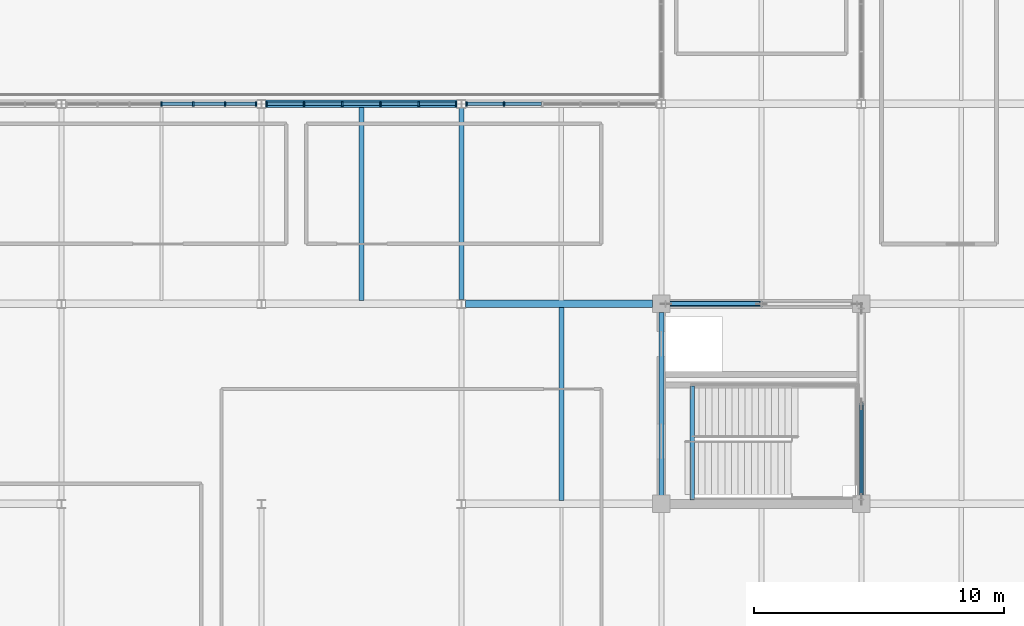
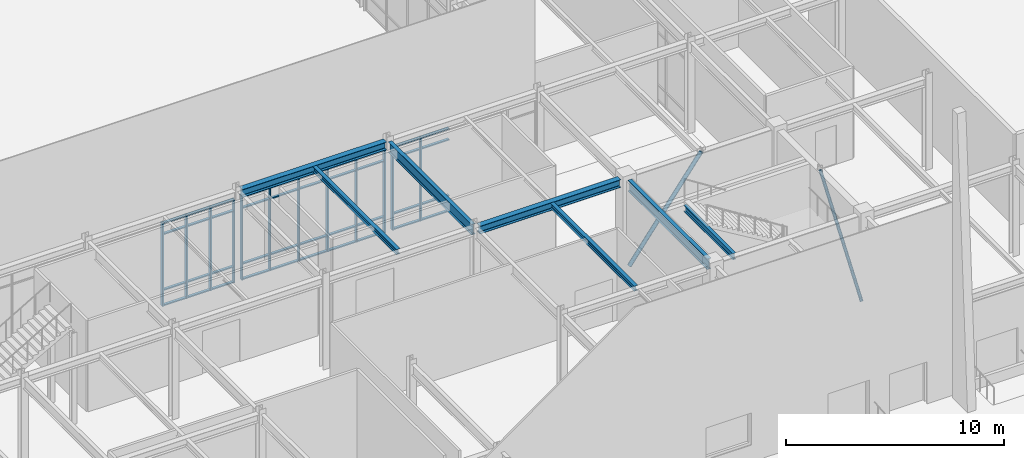
# One storey, part 33 of 119: 54 members, 7 beams, 3 elements without a shape of their own.
"""IFC4 building model written with IfcOpenShell, lengths in metres."""

from ifc_helpers import new_model, si_unit, direction, frame, origin, origin_2d, place, context, subcontext, project, spatial, rectangle, hollow_circle, i_section, extrude, material, material_profile, profile_set, type_object, element, aggregate, save


model = new_model("IFC4")

# Units and contexts
model_context = context("Model", 3, precision=1e-05, world=origin(), true_north=direction((0.0, 1.0)))
body_context = subcontext(model_context, "Body", "Model", "MODEL_VIEW")
ifc_project = project(units=[si_unit("LENGTHUNIT", "METRE"), si_unit("AREAUNIT", "SQUARE_METRE"), si_unit("VOLUMEUNIT", "CUBIC_METRE"), si_unit("PLANEANGLEUNIT", "RADIAN"), si_unit("MASSUNIT", "GRAM", prefix="KILO")], contexts=[model_context])

# Site, building, storey
site_placement = place(None, origin())
site = spatial("IfcSite", under=ifc_project, at=site_placement, CompositionType="ELEMENT")
building_placement = place(site_placement, origin())
building = spatial("IfcBuilding", under=site, at=building_placement, Name="Zhaolan Boulevard Law Courts", CompositionType="ELEMENT")
storey_placement = place(building_placement, origin())
storey = spatial("IfcBuildingStorey", under=building, at=storey_placement, Name="L00", CompositionType="ELEMENT", Elevation=0.0)

# Member
ifc_material_1 = material(Name="Structural steel Q355B", Category="steel")
ifc_material_profile_1 = material_profile(ifc_material_1, hollow_circle(Radius=0.109619140625, WallThickness=0.008056640625, at=origin_2d()), Name="CHS219x8")
ifc_profile_set_1 = profile_set([ifc_material_profile_1], Name="Structural steel Q355B")
member_type_1 = type_object("IfcMemberType", Name="BRACE CHS219", PredefinedType="BRACE", material=ifc_profile_set_1)
member_1_placement = place(storey_placement, frame((116.179931640625, 22.0, 0.030029296875), z_axis=(0.600251625626, 0.0, 0.799811218935), x_axis=(0.0, 1.0, 0.0)))
element("IfcMember", 1, at=member_1_placement, inside=storey, type_object=member_type_1, Name="Core Brace BR-P2-L00-N1", PredefinedType="BRACE", context=body_context, shape_type="SweptSolid", body=[
    extrude(hollow_circle(Radius=0.109619140625, WallThickness=0.008056640625, at=origin_2d()), origin(), (0.0, 0.0, 1.0), 6.364013671875),
])

# Curtain wall, members
ifc_material_2 = material(Name="Thermally broken aluminium and low-E glazing", Category="aluminium")
curtain_wall_type_1 = type_object("IfcCurtainWallType", Name="CURTAIN WALL M6", PredefinedType="USERDEFINED", material=ifc_material_2)
curtain_wall_1_placement = place(storey_placement, origin())
curtain_wall_1 = element("IfcCurtainWall", 2, at=curtain_wall_1_placement, inside=storey, type_object=curtain_wall_type_1, Name="Curtain Wall CW-L00-006", ObjectType="CURTAIN WALL", PredefinedType="USERDEFINED")
ifc_material_3 = material(Name="Fluorocarbon-coated aluminium 6063-T6", Category="aluminium")
ifc_material_profile_2 = material_profile(ifc_material_3, rectangle(XDim=0.179931640625, YDim=0.06494140625, at=origin_2d()), Name="AL65x180")
ifc_profile_set_2 = profile_set([ifc_material_profile_2], Name="Fluorocarbon-coated aluminium 6063-T6")
member_type_2 = type_object("IfcMemberType", Name="CWMULLION 65X180", PredefinedType="MULLION", material=ifc_profile_set_2)
member_2_placement = place(storey_placement, frame((99.79052734375, 30.0, 0.0), z_axis=(0.0, 0.0, 1.0), x_axis=(0.0, -1.0, 0.0)))
member_2 = element("IfcMember", 3, at=member_2_placement, type_object=member_type_2, Name="CW-L00-006 mullion 1", PredefinedType="MULLION", context=body_context, shape_type="SweptSolid", body=[
    extrude(rectangle(XDim=0.179931640625, YDim=0.06494140625, at=origin_2d()), origin(), (0.0, 0.0, 1.0), 4.68310546875),
])
member_3_placement = place(storey_placement, frame((98.548583984375, 30.0, 0.0), z_axis=(0.0, 0.0, 1.0), x_axis=(0.0, -1.0, 0.0)))
member_3 = element("IfcMember", 4, at=member_3_placement, type_object=member_type_2, Name="CW-L00-006 mullion 2", PredefinedType="MULLION", context=body_context, shape_type="SweptSolid", body=[
    extrude(rectangle(XDim=0.179931640625, YDim=0.06494140625, at=origin_2d()), origin(), (0.0, 0.0, 1.0), 4.68310546875),
])
member_4_placement = place(storey_placement, frame((97.2744140625, 30.0, 0.0), z_axis=(0.0, 0.0, 1.0), x_axis=(0.0, -1.0, 0.0)))
member_4 = element("IfcMember", 5, at=member_4_placement, type_object=member_type_2, Name="CW-L00-006 mullion 3", PredefinedType="MULLION", context=body_context, shape_type="SweptSolid", body=[
    extrude(rectangle(XDim=0.179931640625, YDim=0.06494140625, at=origin_2d()), origin(), (0.0, 0.0, 1.0), 4.68310546875),
])
member_5_placement = place(storey_placement, frame((96.0, 30.0, 0.0), z_axis=(0.0, 0.0, 1.0), x_axis=(0.0, -1.0, 0.0)))
member_5 = element("IfcMember", 6, at=member_5_placement, type_object=member_type_2, Name="CW-L00-006 mullion 4", PredefinedType="MULLION", context=body_context, shape_type="SweptSolid", body=[
    extrude(rectangle(XDim=0.179931640625, YDim=0.06494140625, at=origin_2d()), origin(), (0.0, 0.0, 1.0), 4.68310546875),
])

ifc_material_4 = material(Name="Thermally broken aluminium and low-E glazing", Category="aluminium")
curtain_wall_type_2 = type_object("IfcCurtainWallType", Name="CURTAIN WALL M7", PredefinedType="USERDEFINED", material=ifc_material_4)
curtain_wall_2_placement = place(storey_placement, origin())
curtain_wall_2 = element("IfcCurtainWall", 7, at=curtain_wall_2_placement, inside=storey, type_object=curtain_wall_type_2, Name="Curtain Wall CW-L00-007", ObjectType="CURTAIN WALL", PredefinedType="USERDEFINED")
member_6_placement = place(storey_placement, frame((107.79052734375, 30.0, 0.0), z_axis=(0.0, 0.0, 1.0), x_axis=(0.0, -1.0, 0.0)))
member_6 = element("IfcMember", 8, at=member_6_placement, type_object=member_type_2, Name="CW-L00-007 mullion 1", PredefinedType="MULLION", context=body_context, shape_type="SweptSolid", body=[
    extrude(rectangle(XDim=0.179931640625, YDim=0.06494140625, at=origin_2d()), origin(), (0.0, 0.0, 1.0), 4.68310546875),
])
member_7_placement = place(storey_placement, frame((106.293701171875, 30.0, 0.0), z_axis=(0.0, 0.0, 1.0), x_axis=(0.0, -1.0, 0.0)))
member_7 = element("IfcMember", 9, at=member_7_placement, type_object=member_type_2, Name="CW-L00-007 mullion 2", PredefinedType="MULLION", context=body_context, shape_type="SweptSolid", body=[
    extrude(rectangle(XDim=0.179931640625, YDim=0.06494140625, at=origin_2d()), origin(), (0.0, 0.0, 1.0), 4.68310546875),
])
member_8_placement = place(storey_placement, frame((104.7646484375, 30.0, 0.0), z_axis=(0.0, 0.0, 1.0), x_axis=(0.0, -1.0, 0.0)))
member_8 = element("IfcMember", 10, at=member_8_placement, type_object=member_type_2, Name="CW-L00-007 mullion 3", PredefinedType="MULLION", context=body_context, shape_type="SweptSolid", body=[
    extrude(rectangle(XDim=0.179931640625, YDim=0.06494140625, at=origin_2d()), origin(), (0.0, 0.0, 1.0), 4.68310546875),
])
member_9_placement = place(storey_placement, frame((103.2353515625, 30.0, 0.0), z_axis=(0.0, 0.0, 1.0), x_axis=(0.0, -1.0, 0.0)))
member_9 = element("IfcMember", 11, at=member_9_placement, type_object=member_type_2, Name="CW-L00-007 mullion 4", PredefinedType="MULLION", context=body_context, shape_type="SweptSolid", body=[
    extrude(rectangle(XDim=0.179931640625, YDim=0.06494140625, at=origin_2d()), origin(), (0.0, 0.0, 1.0), 4.68310546875),
])
member_10_placement = place(storey_placement, frame((101.706298828125, 30.0, 0.0), z_axis=(0.0, 0.0, 1.0), x_axis=(0.0, -1.0, 0.0)))
member_10 = element("IfcMember", 12, at=member_10_placement, type_object=member_type_2, Name="CW-L00-007 mullion 5", PredefinedType="MULLION", context=body_context, shape_type="SweptSolid", body=[
    extrude(rectangle(XDim=0.179931640625, YDim=0.06494140625, at=origin_2d()), origin(), (0.0, 0.0, 1.0), 4.68310546875),
])
member_11_placement = place(storey_placement, frame((100.20947265625, 30.0, 0.0), z_axis=(0.0, 0.0, 1.0), x_axis=(0.0, -1.0, 0.0)))
member_11 = element("IfcMember", 13, at=member_11_placement, type_object=member_type_2, Name="CW-L00-007 mullion 6", PredefinedType="MULLION", context=body_context, shape_type="SweptSolid", body=[
    extrude(rectangle(XDim=0.179931640625, YDim=0.06494140625, at=origin_2d()), origin(), (0.0, 0.0, 1.0), 4.68310546875),
])

ifc_material_5 = material(Name="Thermally broken aluminium and low-E glazing", Category="aluminium")
curtain_wall_type_3 = type_object("IfcCurtainWallType", Name="CURTAIN WALL M8", PredefinedType="USERDEFINED", material=ifc_material_5)
curtain_wall_3_placement = place(storey_placement, origin())
curtain_wall_3 = element("IfcCurtainWall", 14, at=curtain_wall_3_placement, inside=storey, type_object=curtain_wall_type_3, Name="Curtain Wall CW-L00-008", ObjectType="CURTAIN WALL", PredefinedType="USERDEFINED")
member_12_placement = place(storey_placement, frame((109.706298828125, 30.0, 0.0), z_axis=(0.0, 0.0, 1.0), x_axis=(0.0, -1.0, 0.0)))
member_12 = element("IfcMember", 15, at=member_12_placement, type_object=member_type_2, Name="CW-L00-008 mullion 5", PredefinedType="MULLION", context=body_context, shape_type="SweptSolid", body=[
    extrude(rectangle(XDim=0.179931640625, YDim=0.06494140625, at=origin_2d()), origin(), (0.0, 0.0, 1.0), 4.68310546875),
])
member_13_placement = place(storey_placement, frame((108.20947265625, 30.0, 0.0), z_axis=(0.0, 0.0, 1.0), x_axis=(0.0, -1.0, 0.0)))
member_13 = element("IfcMember", 16, at=member_13_placement, type_object=member_type_2, Name="CW-L00-008 mullion 6", PredefinedType="MULLION", context=body_context, shape_type="SweptSolid", body=[
    extrude(rectangle(XDim=0.179931640625, YDim=0.06494140625, at=origin_2d()), origin(), (0.0, 0.0, 1.0), 4.68310546875),
])

# Member
ifc_material_6 = material(Name="Fluorocarbon-coated aluminium 6063-T6", Category="aluminium")
ifc_material_profile_3 = material_profile(ifc_material_6, rectangle(XDim=0.139892578125, YDim=0.06494140625, at=origin_2d()), Name="AL65x140")
ifc_profile_set_3 = profile_set([ifc_material_profile_3], Name="Fluorocarbon-coated aluminium 6063-T6")
member_type_3 = type_object("IfcMemberType", Name="CWTRANSOM 65X140", PredefinedType="USERDEFINED", material=ifc_profile_set_3)
member_14_placement = place(storey_placement, frame((99.758056640625, 30.0, 0.032470703125), z_axis=(-1.0, 0.0, 0.0), x_axis=(0.0, -1.0, 0.0)))
member_14 = element("IfcMember", 17, at=member_14_placement, type_object=member_type_3, Name="CW-L00-006 transom 1.1", ObjectType="TRANSOM", PredefinedType="USERDEFINED", context=body_context, shape_type="SweptSolid", body=[
    extrude(rectangle(XDim=0.139892578125, YDim=0.06494140625, at=origin_2d()), origin(), (0.0, 0.0, 1.0), 1.177001953125),
])

member_15_placement = place(storey_placement, frame((99.758056640625, 30.0, 0.89990234375), z_axis=(-1.0, 0.0, 0.0), x_axis=(0.0, -1.0, 0.0)))
member_15 = element("IfcMember", 18, at=member_15_placement, type_object=member_type_3, Name="CW-L00-006 transom 1.2", ObjectType="TRANSOM", PredefinedType="USERDEFINED", context=body_context, shape_type="SweptSolid", body=[
    extrude(rectangle(XDim=0.139892578125, YDim=0.06494140625, at=origin_2d()), origin(), (0.0, 0.0, 1.0), 1.177001953125),
])

member_16_placement = place(storey_placement, frame((99.758056640625, 30.0, 4.032958984375), z_axis=(-1.0, 0.0, 0.0), x_axis=(0.0, -1.0, 0.0)))
member_16 = element("IfcMember", 19, at=member_16_placement, type_object=member_type_3, Name="CW-L00-006 transom 1.3", ObjectType="TRANSOM", PredefinedType="USERDEFINED", context=body_context, shape_type="SweptSolid", body=[
    extrude(rectangle(XDim=0.139892578125, YDim=0.06494140625, at=origin_2d()), origin(), (0.0, 0.0, 1.0), 1.177001953125),
])

member_17_placement = place(storey_placement, frame((99.758056640625, 30.0, 4.650390625), z_axis=(-1.0, 0.0, 0.0), x_axis=(0.0, -1.0, 0.0)))
member_17 = element("IfcMember", 20, at=member_17_placement, type_object=member_type_3, Name="CW-L00-006 transom 1.4", ObjectType="TRANSOM", PredefinedType="USERDEFINED", context=body_context, shape_type="SweptSolid", body=[
    extrude(rectangle(XDim=0.139892578125, YDim=0.06494140625, at=origin_2d()), origin(), (0.0, 0.0, 1.0), 1.177001953125),
])

member_18_placement = place(storey_placement, frame((98.51611328125, 30.0, 0.032470703125), z_axis=(-1.0, 0.0, 0.0), x_axis=(0.0, -1.0, 0.0)))
member_18 = element("IfcMember", 21, at=member_18_placement, type_object=member_type_3, Name="CW-L00-006 transom 2.1", ObjectType="TRANSOM", PredefinedType="USERDEFINED", context=body_context, shape_type="SweptSolid", body=[
    extrude(rectangle(XDim=0.139892578125, YDim=0.06494140625, at=origin_2d()), origin(), (0.0, 0.0, 1.0), 1.209228515625),
])

member_19_placement = place(storey_placement, frame((98.51611328125, 30.0, 0.89990234375), z_axis=(-1.0, 0.0, 0.0), x_axis=(0.0, -1.0, 0.0)))
member_19 = element("IfcMember", 22, at=member_19_placement, type_object=member_type_3, Name="CW-L00-006 transom 2.2", ObjectType="TRANSOM", PredefinedType="USERDEFINED", context=body_context, shape_type="SweptSolid", body=[
    extrude(rectangle(XDim=0.139892578125, YDim=0.06494140625, at=origin_2d()), origin(), (0.0, 0.0, 1.0), 1.209228515625),
])

member_20_placement = place(storey_placement, frame((98.51611328125, 30.0, 4.032958984375), z_axis=(-1.0, 0.0, 0.0), x_axis=(0.0, -1.0, 0.0)))
member_20 = element("IfcMember", 23, at=member_20_placement, type_object=member_type_3, Name="CW-L00-006 transom 2.3", ObjectType="TRANSOM", PredefinedType="USERDEFINED", context=body_context, shape_type="SweptSolid", body=[
    extrude(rectangle(XDim=0.139892578125, YDim=0.06494140625, at=origin_2d()), origin(), (0.0, 0.0, 1.0), 1.209228515625),
])

member_21_placement = place(storey_placement, frame((98.51611328125, 30.0, 4.650390625), z_axis=(-1.0, 0.0, 0.0), x_axis=(0.0, -1.0, 0.0)))
member_21 = element("IfcMember", 24, at=member_21_placement, type_object=member_type_3, Name="CW-L00-006 transom 2.4", ObjectType="TRANSOM", PredefinedType="USERDEFINED", context=body_context, shape_type="SweptSolid", body=[
    extrude(rectangle(XDim=0.139892578125, YDim=0.06494140625, at=origin_2d()), origin(), (0.0, 0.0, 1.0), 1.209228515625),
])

member_22_placement = place(storey_placement, frame((97.241943359375, 30.0, 0.032470703125), z_axis=(-1.0, 0.0, 0.0), x_axis=(0.0, -1.0, 0.0)))
member_22 = element("IfcMember", 25, at=member_22_placement, type_object=member_type_3, Name="CW-L00-006 transom 3.1", ObjectType="TRANSOM", PredefinedType="USERDEFINED", context=body_context, shape_type="SweptSolid", body=[
    extrude(rectangle(XDim=0.139892578125, YDim=0.06494140625, at=origin_2d()), origin(), (0.0, 0.0, 1.0), 1.20947265625),
])

member_23_placement = place(storey_placement, frame((97.241943359375, 30.0, 0.89990234375), z_axis=(-1.0, 0.0, 0.0), x_axis=(0.0, -1.0, 0.0)))
member_23 = element("IfcMember", 26, at=member_23_placement, type_object=member_type_3, Name="CW-L00-006 transom 3.2", ObjectType="TRANSOM", PredefinedType="USERDEFINED", context=body_context, shape_type="SweptSolid", body=[
    extrude(rectangle(XDim=0.139892578125, YDim=0.06494140625, at=origin_2d()), origin(), (0.0, 0.0, 1.0), 1.20947265625),
])

member_24_placement = place(storey_placement, frame((97.241943359375, 30.0, 4.032958984375), z_axis=(-1.0, 0.0, 0.0), x_axis=(0.0, -1.0, 0.0)))
member_24 = element("IfcMember", 27, at=member_24_placement, type_object=member_type_3, Name="CW-L00-006 transom 3.3", ObjectType="TRANSOM", PredefinedType="USERDEFINED", context=body_context, shape_type="SweptSolid", body=[
    extrude(rectangle(XDim=0.139892578125, YDim=0.06494140625, at=origin_2d()), origin(), (0.0, 0.0, 1.0), 1.20947265625),
])

member_25_placement = place(storey_placement, frame((97.241943359375, 30.0, 4.650390625), z_axis=(-1.0, 0.0, 0.0), x_axis=(0.0, -1.0, 0.0)))
member_25 = element("IfcMember", 28, at=member_25_placement, type_object=member_type_3, Name="CW-L00-006 transom 3.4", ObjectType="TRANSOM", PredefinedType="USERDEFINED", context=body_context, shape_type="SweptSolid", body=[
    extrude(rectangle(XDim=0.139892578125, YDim=0.06494140625, at=origin_2d()), origin(), (0.0, 0.0, 1.0), 1.20947265625),
])

aggregate(curtain_wall_1, [member_2, member_3, member_4, member_5, member_14, member_15, member_16, member_17, member_18, member_19, member_20, member_21, member_22, member_23, member_24, member_25])

member_26_placement = place(storey_placement, frame((107.758056640625, 30.0, 0.032470703125), z_axis=(-1.0, 0.0, 0.0), x_axis=(0.0, -1.0, 0.0)))
member_26 = element("IfcMember", 29, at=member_26_placement, type_object=member_type_3, Name="CW-L00-007 transom 1.1", ObjectType="TRANSOM", PredefinedType="USERDEFINED", context=body_context, shape_type="SweptSolid", body=[
    extrude(rectangle(XDim=0.139892578125, YDim=0.06494140625, at=origin_2d()), origin(), (0.0, 0.0, 1.0), 1.431640625),
])

member_27_placement = place(storey_placement, frame((107.758056640625, 30.0, 0.89990234375), z_axis=(-1.0, 0.0, 0.0), x_axis=(0.0, -1.0, 0.0)))
member_27 = element("IfcMember", 30, at=member_27_placement, type_object=member_type_3, Name="CW-L00-007 transom 1.2", ObjectType="TRANSOM", PredefinedType="USERDEFINED", context=body_context, shape_type="SweptSolid", body=[
    extrude(rectangle(XDim=0.139892578125, YDim=0.06494140625, at=origin_2d()), origin(), (0.0, 0.0, 1.0), 1.431640625),
])

member_28_placement = place(storey_placement, frame((107.758056640625, 30.0, 4.032958984375), z_axis=(-1.0, 0.0, 0.0), x_axis=(0.0, -1.0, 0.0)))
member_28 = element("IfcMember", 31, at=member_28_placement, type_object=member_type_3, Name="CW-L00-007 transom 1.3", ObjectType="TRANSOM", PredefinedType="USERDEFINED", context=body_context, shape_type="SweptSolid", body=[
    extrude(rectangle(XDim=0.139892578125, YDim=0.06494140625, at=origin_2d()), origin(), (0.0, 0.0, 1.0), 1.431640625),
])

member_29_placement = place(storey_placement, frame((107.758056640625, 30.0, 4.650390625), z_axis=(-1.0, 0.0, 0.0), x_axis=(0.0, -1.0, 0.0)))
member_29 = element("IfcMember", 32, at=member_29_placement, type_object=member_type_3, Name="CW-L00-007 transom 1.4", ObjectType="TRANSOM", PredefinedType="USERDEFINED", context=body_context, shape_type="SweptSolid", body=[
    extrude(rectangle(XDim=0.139892578125, YDim=0.06494140625, at=origin_2d()), origin(), (0.0, 0.0, 1.0), 1.431640625),
])

member_30_placement = place(storey_placement, frame((106.26123046875, 30.0, 0.032470703125), z_axis=(-1.0, 0.0, 0.0), x_axis=(0.0, -1.0, 0.0)))
member_30 = element("IfcMember", 33, at=member_30_placement, type_object=member_type_3, Name="CW-L00-007 transom 2.1", ObjectType="TRANSOM", PredefinedType="USERDEFINED", context=body_context, shape_type="SweptSolid", body=[
    extrude(rectangle(XDim=0.139892578125, YDim=0.06494140625, at=origin_2d()), origin(), (0.0, 0.0, 1.0), 1.464111328125),
])

member_31_placement = place(storey_placement, frame((106.26123046875, 30.0, 0.89990234375), z_axis=(-1.0, 0.0, 0.0), x_axis=(0.0, -1.0, 0.0)))
member_31 = element("IfcMember", 34, at=member_31_placement, type_object=member_type_3, Name="CW-L00-007 transom 2.2", ObjectType="TRANSOM", PredefinedType="USERDEFINED", context=body_context, shape_type="SweptSolid", body=[
    extrude(rectangle(XDim=0.139892578125, YDim=0.06494140625, at=origin_2d()), origin(), (0.0, 0.0, 1.0), 1.464111328125),
])

member_32_placement = place(storey_placement, frame((106.26123046875, 30.0, 4.032958984375), z_axis=(-1.0, 0.0, 0.0), x_axis=(0.0, -1.0, 0.0)))
member_32 = element("IfcMember", 35, at=member_32_placement, type_object=member_type_3, Name="CW-L00-007 transom 2.3", ObjectType="TRANSOM", PredefinedType="USERDEFINED", context=body_context, shape_type="SweptSolid", body=[
    extrude(rectangle(XDim=0.139892578125, YDim=0.06494140625, at=origin_2d()), origin(), (0.0, 0.0, 1.0), 1.464111328125),
])

member_33_placement = place(storey_placement, frame((106.26123046875, 30.0, 4.650390625), z_axis=(-1.0, 0.0, 0.0), x_axis=(0.0, -1.0, 0.0)))
member_33 = element("IfcMember", 36, at=member_33_placement, type_object=member_type_3, Name="CW-L00-007 transom 2.4", ObjectType="TRANSOM", PredefinedType="USERDEFINED", context=body_context, shape_type="SweptSolid", body=[
    extrude(rectangle(XDim=0.139892578125, YDim=0.06494140625, at=origin_2d()), origin(), (0.0, 0.0, 1.0), 1.464111328125),
])

member_34_placement = place(storey_placement, frame((104.732177734375, 30.0, 0.032470703125), z_axis=(-1.0, 0.0, 0.0), x_axis=(0.0, -1.0, 0.0)))
member_34 = element("IfcMember", 37, at=member_34_placement, type_object=member_type_3, Name="CW-L00-007 transom 3.1", ObjectType="TRANSOM", PredefinedType="USERDEFINED", context=body_context, shape_type="SweptSolid", body=[
    extrude(rectangle(XDim=0.139892578125, YDim=0.06494140625, at=origin_2d()), origin(), (0.0, 0.0, 1.0), 1.46435546875),
])

member_35_placement = place(storey_placement, frame((104.732177734375, 30.0, 0.89990234375), z_axis=(-1.0, 0.0, 0.0), x_axis=(0.0, -1.0, 0.0)))
member_35 = element("IfcMember", 38, at=member_35_placement, type_object=member_type_3, Name="CW-L00-007 transom 3.2", ObjectType="TRANSOM", PredefinedType="USERDEFINED", context=body_context, shape_type="SweptSolid", body=[
    extrude(rectangle(XDim=0.139892578125, YDim=0.06494140625, at=origin_2d()), origin(), (0.0, 0.0, 1.0), 1.46435546875),
])

member_36_placement = place(storey_placement, frame((104.732177734375, 30.0, 4.032958984375), z_axis=(-1.0, 0.0, 0.0), x_axis=(0.0, -1.0, 0.0)))
member_36 = element("IfcMember", 39, at=member_36_placement, type_object=member_type_3, Name="CW-L00-007 transom 3.3", ObjectType="TRANSOM", PredefinedType="USERDEFINED", context=body_context, shape_type="SweptSolid", body=[
    extrude(rectangle(XDim=0.139892578125, YDim=0.06494140625, at=origin_2d()), origin(), (0.0, 0.0, 1.0), 1.46435546875),
])

member_37_placement = place(storey_placement, frame((104.732177734375, 30.0, 4.650390625), z_axis=(-1.0, 0.0, 0.0), x_axis=(0.0, -1.0, 0.0)))
member_37 = element("IfcMember", 40, at=member_37_placement, type_object=member_type_3, Name="CW-L00-007 transom 3.4", ObjectType="TRANSOM", PredefinedType="USERDEFINED", context=body_context, shape_type="SweptSolid", body=[
    extrude(rectangle(XDim=0.139892578125, YDim=0.06494140625, at=origin_2d()), origin(), (0.0, 0.0, 1.0), 1.46435546875),
])

member_38_placement = place(storey_placement, frame((103.202880859375, 30.0, 0.032470703125), z_axis=(-1.0, 0.0, 0.0), x_axis=(0.0, -1.0, 0.0)))
member_38 = element("IfcMember", 41, at=member_38_placement, type_object=member_type_3, Name="CW-L00-007 transom 4.1", ObjectType="TRANSOM", PredefinedType="USERDEFINED", context=body_context, shape_type="SweptSolid", body=[
    extrude(rectangle(XDim=0.139892578125, YDim=0.06494140625, at=origin_2d()), origin(), (0.0, 0.0, 1.0), 1.464111328125),
])

member_39_placement = place(storey_placement, frame((103.202880859375, 30.0, 0.89990234375), z_axis=(-1.0, 0.0, 0.0), x_axis=(0.0, -1.0, 0.0)))
member_39 = element("IfcMember", 42, at=member_39_placement, type_object=member_type_3, Name="CW-L00-007 transom 4.2", ObjectType="TRANSOM", PredefinedType="USERDEFINED", context=body_context, shape_type="SweptSolid", body=[
    extrude(rectangle(XDim=0.139892578125, YDim=0.06494140625, at=origin_2d()), origin(), (0.0, 0.0, 1.0), 1.464111328125),
])

member_40_placement = place(storey_placement, frame((103.202880859375, 30.0, 4.032958984375), z_axis=(-1.0, 0.0, 0.0), x_axis=(0.0, -1.0, 0.0)))
member_40 = element("IfcMember", 43, at=member_40_placement, type_object=member_type_3, Name="CW-L00-007 transom 4.3", ObjectType="TRANSOM", PredefinedType="USERDEFINED", context=body_context, shape_type="SweptSolid", body=[
    extrude(rectangle(XDim=0.139892578125, YDim=0.06494140625, at=origin_2d()), origin(), (0.0, 0.0, 1.0), 1.464111328125),
])

member_41_placement = place(storey_placement, frame((103.202880859375, 30.0, 4.650390625), z_axis=(-1.0, 0.0, 0.0), x_axis=(0.0, -1.0, 0.0)))
member_41 = element("IfcMember", 44, at=member_41_placement, type_object=member_type_3, Name="CW-L00-007 transom 4.4", ObjectType="TRANSOM", PredefinedType="USERDEFINED", context=body_context, shape_type="SweptSolid", body=[
    extrude(rectangle(XDim=0.139892578125, YDim=0.06494140625, at=origin_2d()), origin(), (0.0, 0.0, 1.0), 1.464111328125),
])

member_42_placement = place(storey_placement, frame((101.673583984375, 30.0, 0.032470703125), z_axis=(-1.0, 0.0, 0.0), x_axis=(0.0, -1.0, 0.0)))
member_42 = element("IfcMember", 45, at=member_42_placement, type_object=member_type_3, Name="CW-L00-007 transom 5.1", ObjectType="TRANSOM", PredefinedType="USERDEFINED", context=body_context, shape_type="SweptSolid", body=[
    extrude(rectangle(XDim=0.139892578125, YDim=0.06494140625, at=origin_2d()), origin(), (0.0, 0.0, 1.0), 1.431640625),
])

member_43_placement = place(storey_placement, frame((101.673583984375, 30.0, 0.89990234375), z_axis=(-1.0, 0.0, 0.0), x_axis=(0.0, -1.0, 0.0)))
member_43 = element("IfcMember", 46, at=member_43_placement, type_object=member_type_3, Name="CW-L00-007 transom 5.2", ObjectType="TRANSOM", PredefinedType="USERDEFINED", context=body_context, shape_type="SweptSolid", body=[
    extrude(rectangle(XDim=0.139892578125, YDim=0.06494140625, at=origin_2d()), origin(), (0.0, 0.0, 1.0), 1.431640625),
])

member_44_placement = place(storey_placement, frame((101.673583984375, 30.0, 4.032958984375), z_axis=(-1.0, 0.0, 0.0), x_axis=(0.0, -1.0, 0.0)))
member_44 = element("IfcMember", 47, at=member_44_placement, type_object=member_type_3, Name="CW-L00-007 transom 5.3", ObjectType="TRANSOM", PredefinedType="USERDEFINED", context=body_context, shape_type="SweptSolid", body=[
    extrude(rectangle(XDim=0.139892578125, YDim=0.06494140625, at=origin_2d()), origin(), (0.0, 0.0, 1.0), 1.431640625),
])

member_45_placement = place(storey_placement, frame((101.673583984375, 30.0, 4.650390625), z_axis=(-1.0, 0.0, 0.0), x_axis=(0.0, -1.0, 0.0)))
member_45 = element("IfcMember", 48, at=member_45_placement, type_object=member_type_3, Name="CW-L00-007 transom 5.4", ObjectType="TRANSOM", PredefinedType="USERDEFINED", context=body_context, shape_type="SweptSolid", body=[
    extrude(rectangle(XDim=0.139892578125, YDim=0.06494140625, at=origin_2d()), origin(), (0.0, 0.0, 1.0), 1.431640625),
])

aggregate(curtain_wall_2, [member_6, member_7, member_8, member_9, member_10, member_11, member_26, member_27, member_28, member_29, member_30, member_31, member_32, member_33, member_34, member_35, member_36, member_37, member_38, member_39, member_40, member_41, member_42, member_43, member_44, member_45])

member_46_placement = place(storey_placement, frame((111.202880859375, 30.0, 0.032470703125), z_axis=(-1.0, 0.0, 0.0), x_axis=(0.0, -1.0, 0.0)))
member_46 = element("IfcMember", 49, at=member_46_placement, type_object=member_type_3, Name="CW-L00-008 transom 4.1", ObjectType="TRANSOM", PredefinedType="USERDEFINED", context=body_context, shape_type="SweptSolid", body=[
    extrude(rectangle(XDim=0.139892578125, YDim=0.06494140625, at=origin_2d()), origin(), (0.0, 0.0, 1.0), 1.464111328125),
])

member_47_placement = place(storey_placement, frame((111.202880859375, 30.0, 0.89990234375), z_axis=(-1.0, 0.0, 0.0), x_axis=(0.0, -1.0, 0.0)))
member_47 = element("IfcMember", 50, at=member_47_placement, type_object=member_type_3, Name="CW-L00-008 transom 4.2", ObjectType="TRANSOM", PredefinedType="USERDEFINED", context=body_context, shape_type="SweptSolid", body=[
    extrude(rectangle(XDim=0.139892578125, YDim=0.06494140625, at=origin_2d()), origin(), (0.0, 0.0, 1.0), 1.464111328125),
])

member_48_placement = place(storey_placement, frame((111.202880859375, 30.0, 4.032958984375), z_axis=(-1.0, 0.0, 0.0), x_axis=(0.0, -1.0, 0.0)))
member_48 = element("IfcMember", 51, at=member_48_placement, type_object=member_type_3, Name="CW-L00-008 transom 4.3", ObjectType="TRANSOM", PredefinedType="USERDEFINED", context=body_context, shape_type="SweptSolid", body=[
    extrude(rectangle(XDim=0.139892578125, YDim=0.06494140625, at=origin_2d()), origin(), (0.0, 0.0, 1.0), 1.464111328125),
])

member_49_placement = place(storey_placement, frame((111.202880859375, 30.0, 4.650390625), z_axis=(-1.0, 0.0, 0.0), x_axis=(0.0, -1.0, 0.0)))
member_49 = element("IfcMember", 52, at=member_49_placement, type_object=member_type_3, Name="CW-L00-008 transom 4.4", ObjectType="TRANSOM", PredefinedType="USERDEFINED", context=body_context, shape_type="SweptSolid", body=[
    extrude(rectangle(XDim=0.139892578125, YDim=0.06494140625, at=origin_2d()), origin(), (0.0, 0.0, 1.0), 1.464111328125),
])

member_50_placement = place(storey_placement, frame((109.673583984375, 30.0, 0.032470703125), z_axis=(-1.0, 0.0, 0.0), x_axis=(0.0, -1.0, 0.0)))
member_50 = element("IfcMember", 53, at=member_50_placement, type_object=member_type_3, Name="CW-L00-008 transom 5.1", ObjectType="TRANSOM", PredefinedType="USERDEFINED", context=body_context, shape_type="SweptSolid", body=[
    extrude(rectangle(XDim=0.139892578125, YDim=0.06494140625, at=origin_2d()), origin(), (0.0, 0.0, 1.0), 1.431640625),
])

member_51_placement = place(storey_placement, frame((109.673583984375, 30.0, 0.89990234375), z_axis=(-1.0, 0.0, 0.0), x_axis=(0.0, -1.0, 0.0)))
member_51 = element("IfcMember", 54, at=member_51_placement, type_object=member_type_3, Name="CW-L00-008 transom 5.2", ObjectType="TRANSOM", PredefinedType="USERDEFINED", context=body_context, shape_type="SweptSolid", body=[
    extrude(rectangle(XDim=0.139892578125, YDim=0.06494140625, at=origin_2d()), origin(), (0.0, 0.0, 1.0), 1.431640625),
])

member_52_placement = place(storey_placement, frame((109.673583984375, 30.0, 4.032958984375), z_axis=(-1.0, 0.0, 0.0), x_axis=(0.0, -1.0, 0.0)))
member_52 = element("IfcMember", 55, at=member_52_placement, type_object=member_type_3, Name="CW-L00-008 transom 5.3", ObjectType="TRANSOM", PredefinedType="USERDEFINED", context=body_context, shape_type="SweptSolid", body=[
    extrude(rectangle(XDim=0.139892578125, YDim=0.06494140625, at=origin_2d()), origin(), (0.0, 0.0, 1.0), 1.431640625),
])

member_53_placement = place(storey_placement, frame((109.673583984375, 30.0, 4.650390625), z_axis=(-1.0, 0.0, 0.0), x_axis=(0.0, -1.0, 0.0)))
member_53 = element("IfcMember", 56, at=member_53_placement, type_object=member_type_3, Name="CW-L00-008 transom 5.4", ObjectType="TRANSOM", PredefinedType="USERDEFINED", context=body_context, shape_type="SweptSolid", body=[
    extrude(rectangle(XDim=0.139892578125, YDim=0.06494140625, at=origin_2d()), origin(), (0.0, 0.0, 1.0), 1.431640625),
])

aggregate(curtain_wall_3, [member_12, member_13, member_46, member_47, member_48, member_49, member_50, member_51, member_52, member_53])

# Beams
ifc_material_7 = material(Name="Structural steel Q355B", Category="steel")
ifc_material_profile_4 = material_profile(ifc_material_7, i_section(OverallWidth=0.300048828125, OverallDepth=0.43994140625, WebThickness=0.010986328125, FlangeThickness=0.01806640625, FilletRadius=0.02001953125, at=origin_2d()), Name="HM440x300")
ifc_profile_set_4 = profile_set([ifc_material_profile_4], Name="Structural steel Q355B")
beam_type_1 = type_object("IfcBeamType", Name="GIRDER HM440", PredefinedType="BEAM", material=ifc_profile_set_4)
beam_1_placement = place(storey_placement, frame((108.1708984375, 22.0, 4.91796875), z_axis=(1.0, 0.0, 0.0), x_axis=(0.0, 1.0, 0.0)))
element("IfcBeam", 57, at=beam_1_placement, inside=storey, type_object=beam_type_1, Name="Beam BX-L01-14-15-D", PredefinedType="BEAM", context=body_context, shape_type="SweptSolid", body=[
    extrude(i_section(OverallWidth=0.300048828125, OverallDepth=0.43994140625, WebThickness=0.010986328125, FlangeThickness=0.01806640625, FilletRadius=0.02001953125, at=origin_2d()), origin(), (0.0, 0.0, 1.0), 7.483154296875),
])
beam_2_placement = place(storey_placement, frame((100.1708984375, 30.0, 4.91796875), z_axis=(1.0, 0.0, 0.0), x_axis=(0.0, 1.0, 0.0)))
element("IfcBeam", 58, at=beam_2_placement, inside=storey, type_object=beam_type_1, Name="Beam BX-L01-13-14-E", PredefinedType="BEAM", context=body_context, shape_type="SweptSolid", body=[
    extrude(i_section(OverallWidth=0.300048828125, OverallDepth=0.43994140625, WebThickness=0.010986328125, FlangeThickness=0.01806640625, FilletRadius=0.02001953125, at=origin_2d()), origin(), (0.0, 0.0, 1.0), 7.658203125),
])
ifc_material_8 = material(Name="Structural steel Q355B", Category="steel")
ifc_material_profile_5 = material_profile(ifc_material_8, i_section(OverallWidth=0.199951171875, OverallDepth=0.60009765625, WebThickness=0.010986328125, FlangeThickness=0.01708984375, FilletRadius=0.02001953125, at=origin_2d()), Name="HN600x200")
ifc_profile_set_5 = profile_set([ifc_material_profile_5], Name="Structural steel Q355B")
beam_type_2 = type_object("IfcBeamType", Name="GIRDER HN600", PredefinedType="BEAM", material=ifc_profile_set_5)
beam_3_placement = place(storey_placement, frame((108.0, 22.1708984375, 4.837890625), z_axis=(0.0, 1.0, 0.0), x_axis=(-1.0, 0.0, 0.0)))
element("IfcBeam", 59, at=beam_3_placement, inside=storey, type_object=beam_type_2, Name="Beam BY-L01-14-D-E", PredefinedType="BEAM", context=body_context, shape_type="SweptSolid", body=[
    extrude(i_section(OverallWidth=0.199951171875, OverallDepth=0.60009765625, WebThickness=0.010986328125, FlangeThickness=0.01708984375, FilletRadius=0.02001953125, at=origin_2d()), origin(), (0.0, 0.0, 1.0), 7.658203125),
])
beam_4_placement = place(storey_placement, frame((116.0, 14.345947265625, 4.837890625), z_axis=(0.0, 1.0, 0.0), x_axis=(-1.0, 0.0, 0.0)))
element("IfcBeam", 60, at=beam_4_placement, inside=storey, type_object=beam_type_2, Name="Beam BY-L01-15-C-D", PredefinedType="BEAM", context=body_context, shape_type="SweptSolid", body=[
    extrude(i_section(OverallWidth=0.199951171875, OverallDepth=0.60009765625, WebThickness=0.010986328125, FlangeThickness=0.01708984375, FilletRadius=0.02001953125, at=origin_2d()), origin(), (0.0, 0.0, 1.0), 7.30810546875),
])
ifc_material_9 = material(Name="Structural steel Q355B", Category="steel")
ifc_material_profile_6 = material_profile(ifc_material_9, i_section(OverallWidth=0.199951171875, OverallDepth=0.2939453125, WebThickness=0.008056640625, FlangeThickness=0.011962890625, FilletRadius=0.01611328125, at=origin_2d()), Name="HM294x200")
ifc_profile_set_6 = profile_set([ifc_material_profile_6], Name="Structural steel Q355B")
beam_type_3 = type_object("IfcBeamType", Name="JOIST HM294", PredefinedType="JOIST", material=ifc_profile_set_6)
for number, where, z_axis, x_axis, name in (
    (61, (104.0, 22.14599609375, 4.990966796875), (0.0, 1.0, 0.0), (-1.0, 0.0, 0.0), "Composite Joist J-L01-13D"),
    (62, (112.0, 14.14599609375, 4.990966796875), (0.0, 1.0, 0.0), (-1.0, 0.0, 0.0), "Composite Joist J-L01-14C"),
):
    element("IfcBeam", number, at=place(storey_placement, frame(where, z_axis=z_axis, x_axis=x_axis)), inside=storey, type_object=beam_type_3, Name=name, PredefinedType="JOIST", context=body_context, shape_type="SweptSolid", body=[
        extrude(i_section(OverallWidth=0.199951171875, OverallDepth=0.2939453125, WebThickness=0.008056640625, FlangeThickness=0.011962890625, FilletRadius=0.01611328125, at=origin_2d()), origin(), (0.0, 0.0, 1.0), 7.7080078125),
    ])
ifc_material_10 = material(Name="Structural steel Q355B", Category="steel")
ifc_material_profile_7 = material_profile(ifc_material_10, i_section(OverallWidth=0.175048828125, OverallDepth=0.35009765625, WebThickness=0.007080078125, FlangeThickness=0.010986328125, FilletRadius=0.012939453125, at=origin_2d()), Name="HN350x175")
ifc_profile_set_7 = profile_set([ifc_material_profile_7], Name="Structural steel Q355B")
beam_type_4 = type_object("IfcBeamType", Name="STAIR TRIMMER HN350", PredefinedType="BEAM", material=ifc_profile_set_7)
beam_5_placement = place(storey_placement, frame((117.235107421875, 14.1650390625, 4.93505859375), z_axis=(0.0, 1.0, 0.0), x_axis=(-1.0, 0.0, 0.0)))
element("IfcBeam", 63, at=beam_5_placement, inside=storey, type_object=beam_type_4, Name="Stair Landing Trimmer Beam STB-ST05-L01", PredefinedType="BEAM", context=body_context, shape_type="SweptSolid", body=[
    extrude(i_section(OverallWidth=0.175048828125, OverallDepth=0.35009765625, WebThickness=0.007080078125, FlangeThickness=0.010986328125, FilletRadius=0.012939453125, at=origin_2d()), origin(), (0.0, 0.0, 1.0), 4.544921875),
])

# Member
ifc_material_11 = material(Name="Structural steel Q355B", Category="steel")
ifc_material_profile_8 = material_profile(ifc_material_11, hollow_circle(Radius=0.083984375, WallThickness=0.008056640625, at=origin_2d()), Name="CHS168x8")
ifc_profile_set_8 = profile_set([ifc_material_profile_8], Name="Structural steel Q355B")
member_type_4 = type_object("IfcMemberType", Name="STRUT CHS168", PredefinedType="BRACE", material=ifc_profile_set_8)
member_54_placement = place(storey_placement, frame((124.0, 14.179931640625, 0.030029296875), z_axis=(0.0, 0.600251625626, 0.799811218935), x_axis=(-1.0, 0.0, 0.0)))
element("IfcMember", 64, at=member_54_placement, inside=storey, type_object=member_type_4, Name="Core Brace BR-P2-L00-E1", PredefinedType="BRACE", context=body_context, shape_type="SweptSolid", body=[
    extrude(hollow_circle(Radius=0.083984375, WallThickness=0.008056640625, at=origin_2d()), origin(), (0.0, 0.0, 1.0), 6.364013671875),
])

save(model, "model.ifc")
